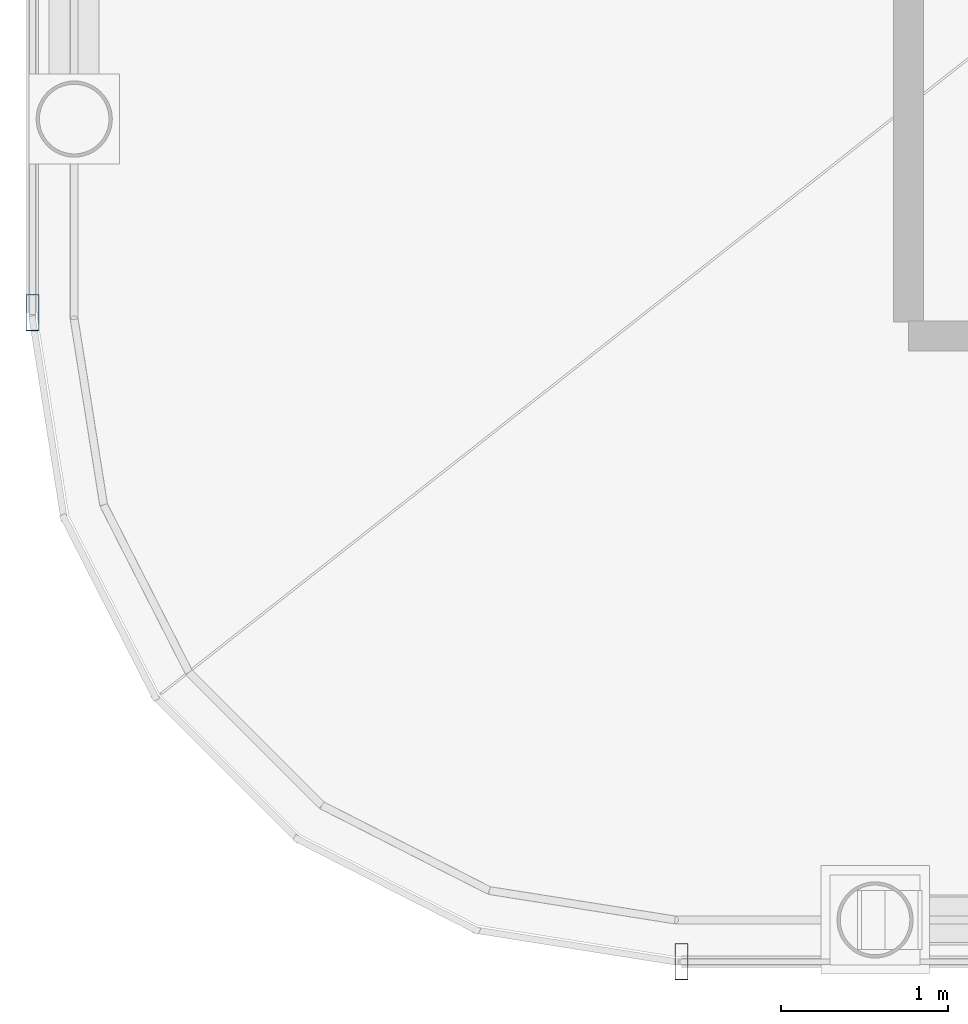
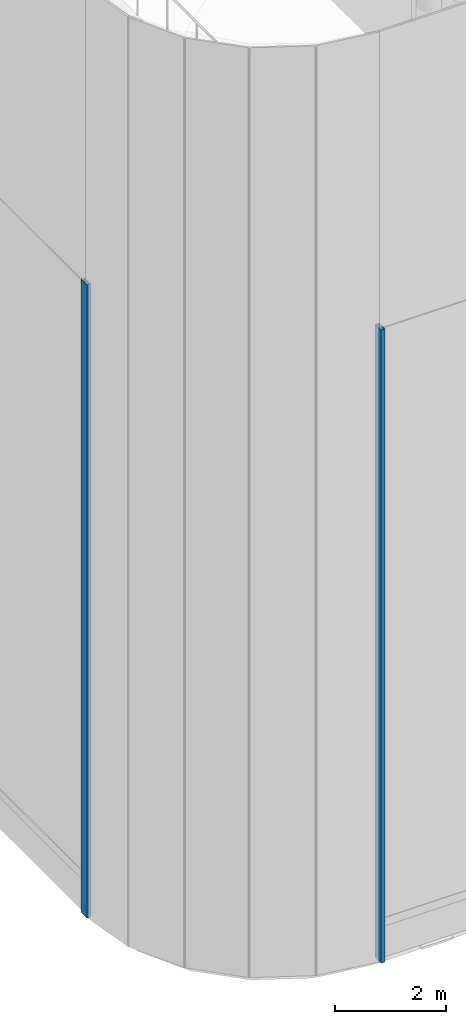
# One storey, part 4 of 42: 2 members, 2 elements without a shape of their own.
"""IFC4 building model written with IfcOpenShell, lengths in metres."""

from ifc_helpers import new_model, si_unit, direction, frame, origin, origin_2d, place, context, subcontext, project, spatial, hollow_rectangle, extrude, material, layer, layer_set, material_profile, profile_set, type_object, element, aggregate, save


model = new_model("IFC4")

# Units and contexts
model_context = context("Model", 3, precision=1e-05, world=origin(), true_north=direction((0.0, 1.0)))
body_context = subcontext(model_context, "Body", "Model", "MODEL_VIEW")
ifc_project = project(units=[si_unit("LENGTHUNIT", "METRE"), si_unit("AREAUNIT", "SQUARE_METRE"), si_unit("VOLUMEUNIT", "CUBIC_METRE"), si_unit("PLANEANGLEUNIT", "RADIAN"), si_unit("MASSUNIT", "GRAM", prefix="KILO")], contexts=[model_context])

# Site, building, storey
site_placement = place(None, origin())
site = spatial("IfcSite", under=ifc_project, at=site_placement, CompositionType="ELEMENT")
building_placement = place(site_placement, origin())
building = spatial("IfcBuilding", under=site, at=building_placement, Name="Kallvorn Hotel Tower", CompositionType="ELEMENT")
storey_placement = place(building_placement, frame((0.0, 0.0, 306.0)))
storey = spatial("IfcBuildingStorey", under=building, at=storey_placement, Name="ROOF", CompositionType="ELEMENT", Elevation=306.0)

# Curtain wall, member
ifc_material_1 = material(Name="Thermally broken black-anodised aluminium AA 6063-T6", Category="aluminium")
ifc_layer = layer(ifc_material_1, 0.18994140625)
ifc_layer_set = layer_set([ifc_layer], Name="CW_SYS_7_CROWN_DRUM")
curtain_wall_type = type_object("IfcCurtainWallType", Name="CW_SYS_7_CROWN_DRUM", PredefinedType="USERDEFINED", material=ifc_layer_set)
curtain_wall_1_placement = place(storey_placement, origin())
curtain_wall_1 = element("IfcCurtainWall", 1, at=curtain_wall_1_placement, inside=storey, type_object=curtain_wall_type, Name="ROOF Dark-Glass Curtain Wall CW-ROOF-S1", ObjectType="UNITISED CURTAIN WALL", PredefinedType="USERDEFINED")
ifc_material_2 = material(Name="Thermally broken black-anodised aluminium AA 6063-T6", Category="aluminium")
ifc_material_profile = material_profile(ifc_material_2, hollow_rectangle(XDim=0.080078125, YDim=0.219970703125, WallThickness=0.0048828125, at=origin_2d()), Name="MUL 220x80")
ifc_profile_set = profile_set([ifc_material_profile], Name="Thermally broken black-anodised aluminium AA 6063-T6")
member_type = type_object("IfcMemberType", Name="CW_MULLION_220x80", PredefinedType="MULLION", material=ifc_profile_set)
member_1_placement = place(storey_placement, frame((-25.159912109375, -24.25, 0.02001953125), z_axis=(0.0, 0.0, 1.0), x_axis=(1.0, 0.0, 0.0)))
member_1 = element("IfcMember", 2, at=member_1_placement, type_object=member_type, Name="CW-ROOF-S1 Mullion 00", PredefinedType="MULLION", context=body_context, shape_type="SweptSolid", body=[
    extrude(hollow_rectangle(XDim=0.080078125, YDim=0.219970703125, WallThickness=0.0048828125, at=origin_2d()), origin(), (0.0, 0.0, 1.0), 13.9599609375),
])
aggregate(curtain_wall_1, [member_1])

curtain_wall_2_placement = place(storey_placement, origin())
curtain_wall_2 = element("IfcCurtainWall", 3, at=curtain_wall_2_placement, inside=storey, type_object=curtain_wall_type, Name="ROOF Dark-Glass Curtain Wall CW-ROOF-W1", ObjectType="UNITISED CURTAIN WALL", PredefinedType="USERDEFINED")
member_2_placement = place(storey_placement, frame((-29.050048828125, -20.360107421875, 0.02001953125), z_axis=(0.0, 0.0, 1.0), x_axis=(1.0, 0.0, 0.0)))
member_2 = element("IfcMember", 4, at=member_2_placement, type_object=member_type, Name="CW-ROOF-W1 Mullion 00", PredefinedType="MULLION", context=body_context, shape_type="SweptSolid", body=[
    extrude(hollow_rectangle(XDim=0.080078125, YDim=0.219970703125, WallThickness=0.0048828125, at=origin_2d()), origin(), (0.0, 0.0, 1.0), 13.9599609375),
])
aggregate(curtain_wall_2, [member_2])

save(model, "model.ifc")
